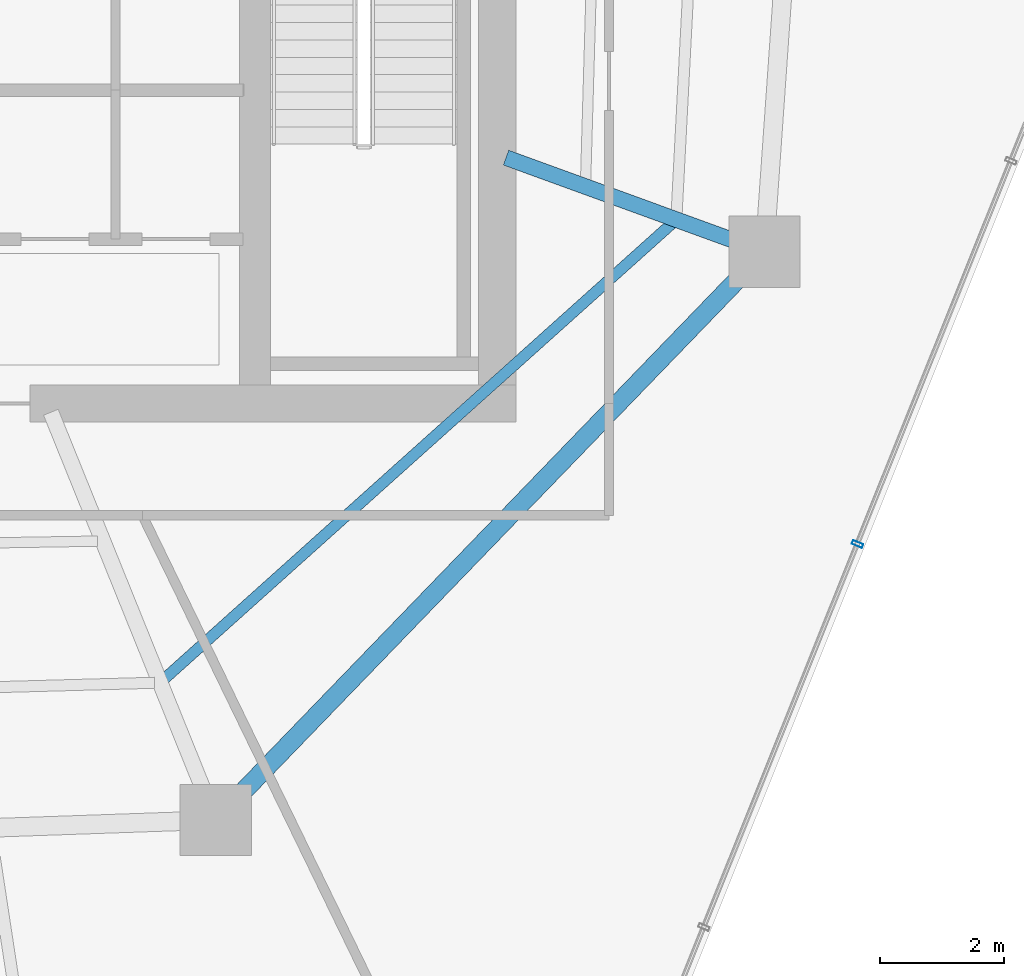
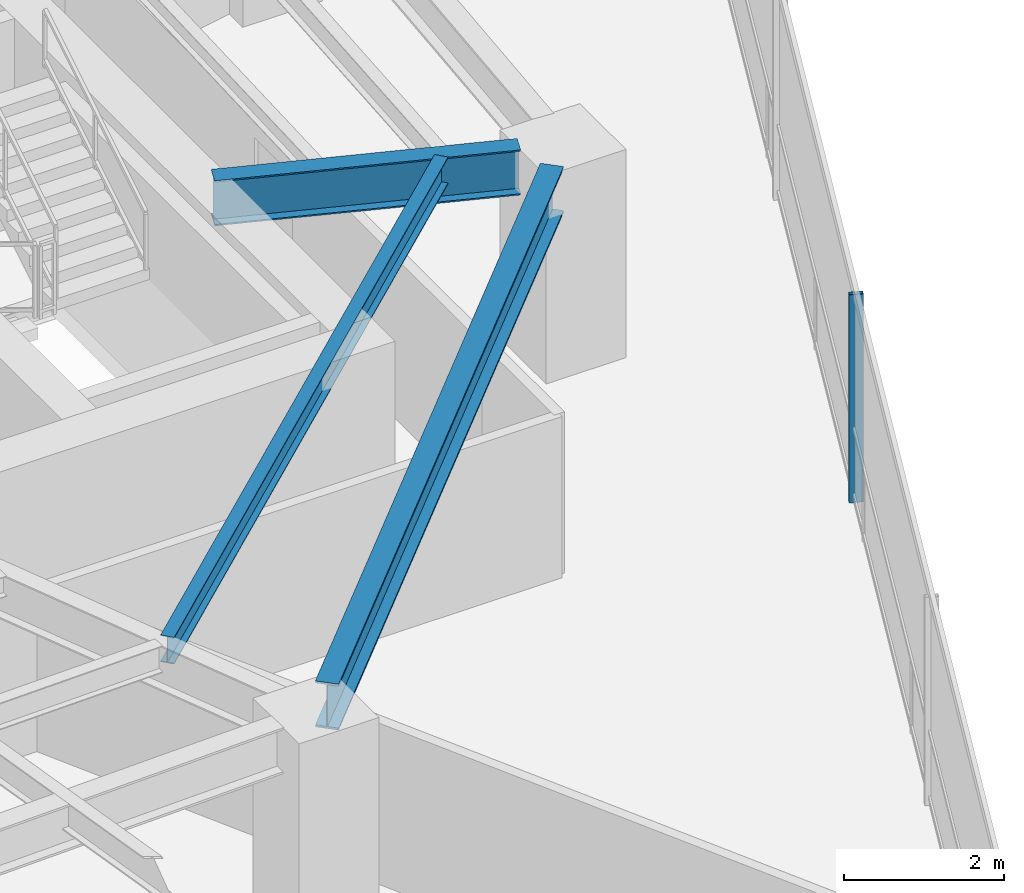
# One storey, part 11 of 29: 3 beams, 1 member, 1 element without a shape of its own.
"""IFC4 building model written with IfcOpenShell, lengths in metres."""

from ifc_helpers import new_model, si_unit, direction, frame, origin, origin_2d, place, context, subcontext, project, spatial, hollow_rectangle, i_section, extrude, material, layer, layer_set, material_profile, profile_set, type_object, element, aggregate, save


model = new_model("IFC4")

# Units and contexts
model_context = context("Model", 3, precision=1e-05, world=origin(), true_north=direction((0.0, 1.0)))
body_context = subcontext(model_context, "Body", "Model", "MODEL_VIEW")
ifc_project = project(units=[si_unit("LENGTHUNIT", "METRE"), si_unit("AREAUNIT", "SQUARE_METRE"), si_unit("VOLUMEUNIT", "CUBIC_METRE"), si_unit("PLANEANGLEUNIT", "RADIAN"), si_unit("MASSUNIT", "GRAM", prefix="KILO")], contexts=[model_context])

# Site, building, storey
site_placement = place(None, origin())
site = spatial("IfcSite", under=ifc_project, at=site_placement, CompositionType="ELEMENT")
building_placement = place(site_placement, origin())
building = spatial("IfcBuilding", under=site, at=building_placement, Name="Qarnah Convention Tower", CompositionType="ELEMENT")
storey_placement = place(building_placement, frame((0.0, 0.0, 97.050048828125)))
storey = spatial("IfcBuildingStorey", under=building, at=storey_placement, Name="L25", CompositionType="ELEMENT", Elevation=97.050048828125)

# Beams
ifc_material_1 = material(Name="Structural steel S355JR", Category="steel")
ifc_material_profile_1 = material_profile(ifc_material_1, i_section(OverallWidth=0.177978515625, OverallDepth=0.407958984375, WebThickness=0.008056640625, FlangeThickness=0.012939453125, at=origin_2d()), Name="W410X60")
ifc_profile_set_1 = profile_set([ifc_material_profile_1], Name="Structural steel S355JR")
beam_type_1 = type_object("IfcBeamType", Name="BM-JST-W410", PredefinedType="JOIST", material=ifc_profile_set_1)
beam_1_placement = place(storey_placement, frame((42.235107421875, 14.1640625, 2.966064453125), z_axis=(0.744411827148, 0.667720773679, 0.0), x_axis=(-0.667720773679, 0.744411827148, 0.0)))
element("IfcBeam", 1, at=beam_1_placement, inside=storey, type_object=beam_type_1, Name="L25 joist BM-L25-SJST-08", PredefinedType="JOIST", context=body_context, shape_type="SweptSolid", body=[
    extrude(i_section(OverallWidth=0.177978515625, OverallDepth=0.407958984375, WebThickness=0.008056640625, FlangeThickness=0.012939453125, at=origin_2d()), origin(), (0.0, 0.0, 1.0), 10.992431640625),
])
ifc_material_profile_2 = material_profile(ifc_material_1, i_section(OverallWidth=0.25390625, OverallDepth=0.68798828125, WebThickness=0.012939453125, FlangeThickness=0.02099609375, at=origin_2d()), Name="W690X152")
ifc_profile_set_2 = profile_set([ifc_material_profile_2], Name="Structural steel S355JR")
beam_type_2 = type_object("IfcBeamType", Name="BM-RAD-W690", PredefinedType="BEAM", material=ifc_profile_set_2)
beam_2_placement = place(storey_placement, frame((47.740966796875, 22.56298828125, 2.825927734375), z_axis=(0.93969593668, -0.342011032845, 0.0), x_axis=(0.342011032845, 0.93969593668, 0.0)))
element("IfcBeam", 2, at=beam_2_placement, inside=storey, type_object=beam_type_2, Name="L25 beam BM-L25-RAD-09", PredefinedType="BEAM", context=body_context, shape_type="SweptSolid", body=[
    extrude(i_section(OverallWidth=0.25390625, OverallDepth=0.68798828125, WebThickness=0.012939453125, FlangeThickness=0.02099609375, at=origin_2d()), origin(), (0.0, 0.0, 1.0), 3.876953125),
])
ifc_material_profile_3 = material_profile(ifc_material_1, i_section(OverallWidth=0.300048828125, OverallDepth=0.699951171875, WebThickness=0.01708984375, FlangeThickness=0.031982421875, at=origin_2d()), Name="HEB700")
ifc_profile_set_3 = profile_set([ifc_material_profile_3], Name="Structural steel S355JR")
beam_type_3 = type_object("IfcBeamType", Name="BM-RING-HEB700", PredefinedType="BEAM", material=ifc_profile_set_3)
beam_3_placement = place(storey_placement, frame((43.455078125, 12.2958984375, 2.820068359375), z_axis=(0.694656478954, 0.719341626939, 0.0), x_axis=(-0.719341626939, 0.694656478954, 0.0)))
element("IfcBeam", 3, at=beam_3_placement, inside=storey, type_object=beam_type_3, Name="L25 beam BM-L25-SPN-08", PredefinedType="BEAM", context=body_context, shape_type="SweptSolid", body=[
    extrude(i_section(OverallWidth=0.300048828125, OverallDepth=0.699951171875, WebThickness=0.01708984375, FlangeThickness=0.031982421875, at=origin_2d()), origin(), (0.0, 0.0, 1.0), 11.60107421875),
])

# Curtain wall, member
ifc_material_2 = material(Name="Tempered Low-E dark glass", Category="glass")
ifc_layer = layer(ifc_material_2, 0.169921875)
ifc_layer_set = layer_set([ifc_layer], Name="Tempered Low-E dark glass")
curtain_wall_type = type_object("IfcCurtainWallType", Name="CWS-02", PredefinedType="NOTDEFINED", material=ifc_layer_set)
curtain_wall_placement = place(storey_placement, origin())
curtain_wall = element("IfcCurtainWall", 4, at=curtain_wall_placement, inside=storey, type_object=curtain_wall_type, Name="L25 unitised curtain wall CW-L25-F2", PredefinedType="NOTDEFINED")
ifc_material_3 = material(Name="Black anodised aluminium", Category="aluminium")
ifc_material_profile_4 = material_profile(ifc_material_3, hollow_rectangle(XDim=0.06494140625, YDim=0.179931640625, WallThickness=0.00390625, at=origin_2d()), Name="MUL-65X180")
ifc_profile_set_4 = profile_set([ifc_material_profile_4], Name="Black anodised aluminium")
member_type = type_object("IfcMemberType", Name="MUL-T2", PredefinedType="MULLION", material=ifc_profile_set_4)
member_placement = place(storey_placement, frame((53.404541015625, 16.33642578125, 0.0), z_axis=(0.0, 0.0, 1.0), x_axis=(-0.37202844102, -0.928221330865, 0.0)))
member = element("IfcMember", 5, at=member_placement, type_object=member_type, Name="CW-L25-F2 mullion 4", PredefinedType="MULLION", context=body_context, shape_type="SweptSolid", body=[
    extrude(hollow_rectangle(XDim=0.06494140625, YDim=0.179931640625, WallThickness=0.00390625, at=origin_2d()), origin(), (0.0, 0.0, 1.0), 3.169921875),
])
aggregate(curtain_wall, [member])

save(model, "model.ifc")
